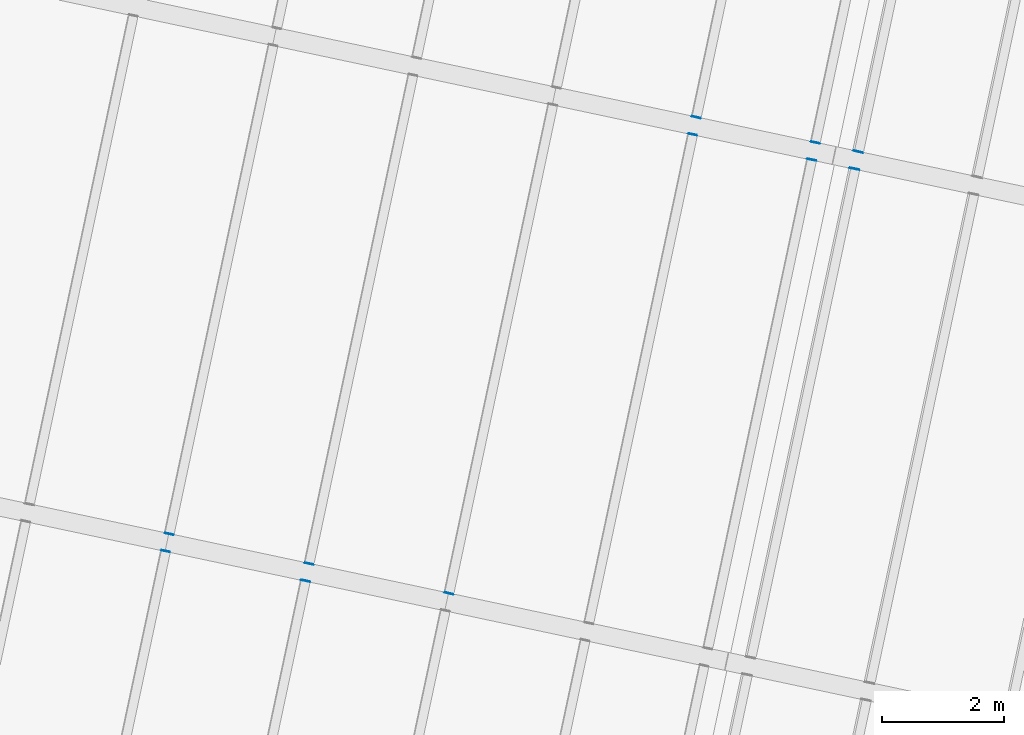
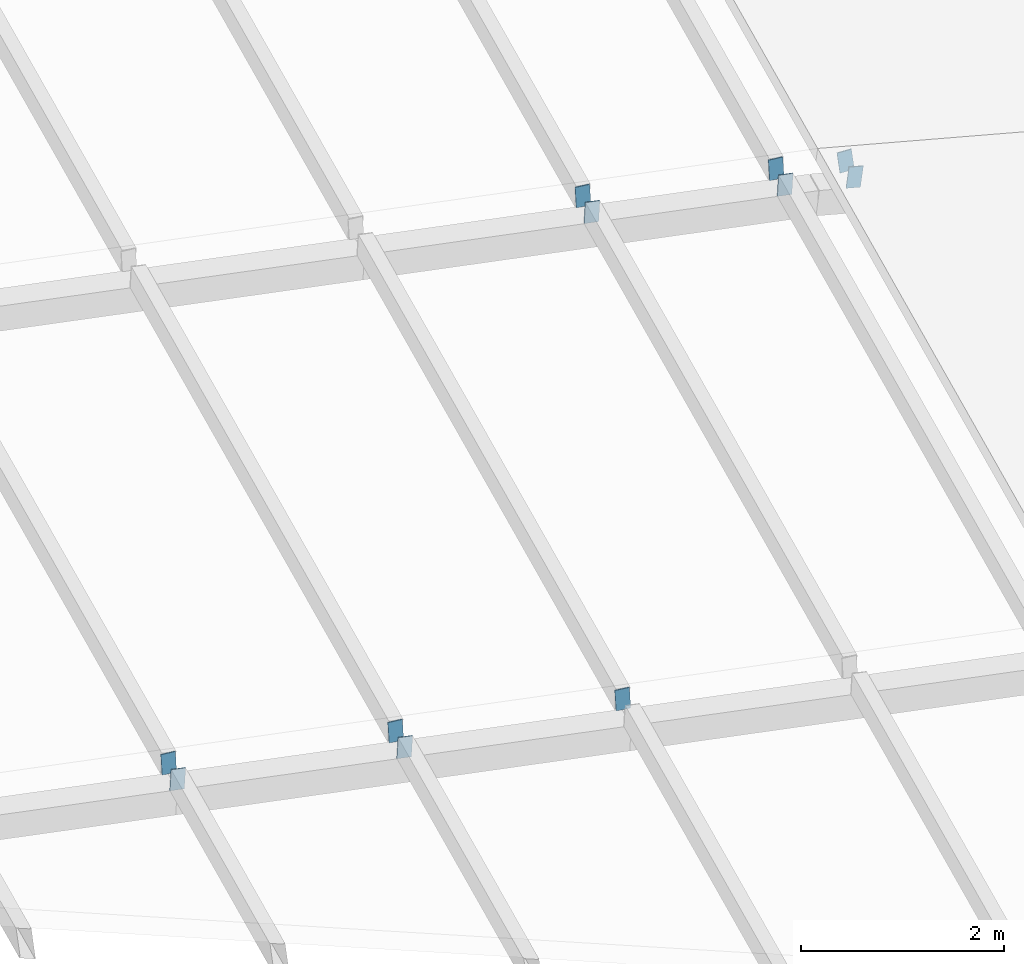
# One storey, part 157 of 196: 11 discrete accessories.
"""IFC4 building model written with IfcOpenShell, lengths in metres."""

from ifc_helpers import new_model, si_unit, direction, frame, origin, origin_2d, place, context, subcontext, project, spatial, rectangle, extrude, material, layer, layer_set, type_object, element, save


model = new_model("IFC4")

# Units and contexts
model_context = context("Model", 3, precision=1e-05, world=origin(), true_north=direction((0.0, 1.0)))
body_context = subcontext(model_context, "Body", "Model", "MODEL_VIEW")
ifc_project = project(units=[si_unit("LENGTHUNIT", "METRE"), si_unit("AREAUNIT", "SQUARE_METRE"), si_unit("VOLUMEUNIT", "CUBIC_METRE"), si_unit("PLANEANGLEUNIT", "RADIAN"), si_unit("MASSUNIT", "GRAM", prefix="KILO")], contexts=[model_context])

# Site, building, storey
site_placement = place(None, origin())
site = spatial("IfcSite", under=ifc_project, at=site_placement, CompositionType="ELEMENT")
building_placement = place(site_placement, origin())
building = spatial("IfcBuilding", under=site, at=building_placement, Name="Okhra Congress Centre", CompositionType="ELEMENT")
storey_placement = place(building_placement, frame((0.0, 0.0, 12.0)))
storey = spatial("IfcBuildingStorey", under=building, at=storey_placement, Name="L02", CompositionType="ELEMENT", Elevation=12.0)

# Discrete accessories
ifc_material = material(Name="Steel S355J2", Category="steel")
ifc_layer = layer(ifc_material, 0.011962890625)
ifc_layer_set = layer_set([ifc_layer], Name="Hollow section end cap 12 mm S355")
discrete_accessory_type = type_object("IfcDiscreteAccessoryType", Name="Hollow section end cap 12 mm S355", PredefinedType="BRACKET", material=ifc_layer_set)
for number, where, z_axis, x_axis, name in (
    (1, (229.28369140625, 97.9755859375, 2.7255859375), (0.203954254112, 0.978980419738, 0.0), (-0.977638761096, 0.203674741895, 0.052335956243), "Hollow section end cap"),
    (2, (231.582275390625, 97.487060546875, 2.6025390625), (0.203954254112, 0.978980419738, 0.0), (-0.977638761096, 0.203674741895, 0.052335956243), "Hollow section end cap"),
    (3, (229.345947265625, 98.26904296875, 2.7255859375), (-0.203954254112, -0.978980419738, 0.0), (0.977638761096, -0.203674741895, 0.052335956243), "Hollow section end cap"),
    (4, (231.64453125, 97.780517578125, 2.6025390625), (-0.203954254112, -0.978980419738, 0.0), (0.977638761096, -0.203674741895, 0.052335956243), "Hollow section end cap"),
    (5, (233.943359375, 97.2919921875, 2.479248046875), (-0.223376156329, -0.974732318528, 0.0), (0.973396481762, -0.22307002707, 0.052335956243), "Hollow section end cap"),
    (6, (237.94677734375, 104.82421875, 2.356201171875), (0.203954254112, 0.978980419738, 0.0), (-0.977638761096, 0.203674741895, 0.052335956243), "Hollow section end cap"),
):
    element("IfcDiscreteAccessory", number, at=place(storey_placement, frame(where, z_axis=z_axis, x_axis=x_axis)), inside=storey, type_object=discrete_accessory_type, Name=name, PredefinedType="BRACKET", context=body_context, shape_type="SweptSolid", body=[
        extrude(rectangle(XDim=0.14990234375, YDim=0.25, at=origin_2d()), origin(), (0.0, 0.0, 1.0), 0.011962890625),
    ])
discrete_accessory_placement = place(storey_placement, frame((239.903076171875, 104.408203125, 2.251220703125), z_axis=(0.199960011996, 0.97980405878, 0.0), x_axis=(-0.978461271371, 0.199685973749, 0.052335956243)))
element("IfcDiscreteAccessory", 7, at=discrete_accessory_placement, inside=storey, type_object=discrete_accessory_type, Name="Hollow section end cap", PredefinedType="BRACKET", context=body_context, shape_type="SweptSolid", body=[
    extrude(rectangle(XDim=0.14990234375, YDim=0.25, at=origin_2d()), origin(), (0.0, 0.0, 1.0), 0.01220703125),
])
for number, where, z_axis, x_axis, name in (
    (8, (240.6064453125, 104.2587890625, 2.188232421875), (0.203954254112, 0.978980419738, 0.0), (-0.971683248143, 0.20243401003, 0.121869343405), "Hollow section end cap"),
    (9, (238.00927734375, 105.11767578125, 2.356201171875), (-0.223376156329, -0.974732318528, 0.0), (0.973396481762, -0.22307002707, 0.052335956243), "Hollow section end cap"),
    (10, (239.96533203125, 104.70166015625, 2.251220703125), (-0.203954254112, -0.978980419738, 0.0), (0.977638761096, -0.203674741895, 0.052335956243), "Hollow section end cap"),
    (11, (240.6689453125, 104.55224609375, 2.188232421875), (-0.223376156329, -0.974732318528, 0.0), (0.967466811636, -0.221711144333, 0.121869343405), "Hollow section end cap"),
):
    element("IfcDiscreteAccessory", number, at=place(storey_placement, frame(where, z_axis=z_axis, x_axis=x_axis)), inside=storey, type_object=discrete_accessory_type, Name=name, PredefinedType="BRACKET", context=body_context, shape_type="SweptSolid", body=[
        extrude(rectangle(XDim=0.14990234375, YDim=0.25, at=origin_2d()), origin(), (0.0, 0.0, 1.0), 0.011962890625),
    ])

save(model, "model.ifc")
